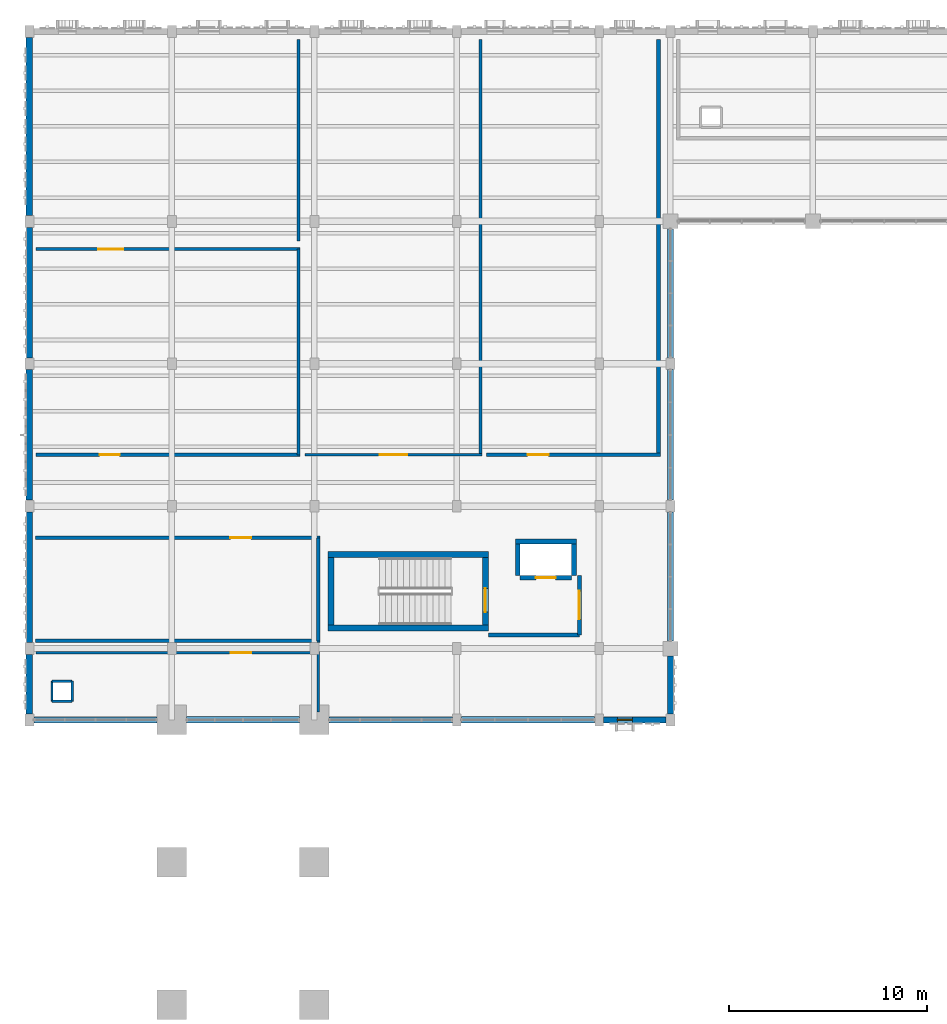
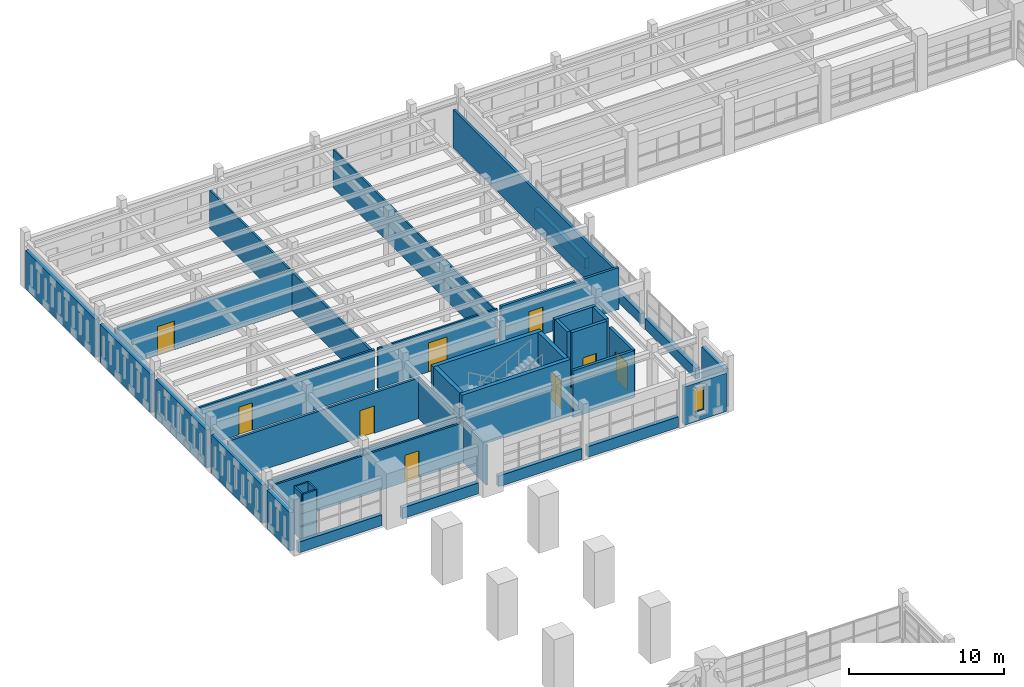
# One storey, part 44 of 69: 41 walls, 9 doors, 1 window, 10 openings.
"""IFC4 building model written with IfcOpenShell, lengths in metres."""

from ifc_helpers import new_model, si_unit, direction, frame, frame_2d, origin, place, context, subcontext, project, spatial, rectangle, extrude, material, layer, layer_set, type_object, element, fill, save


model = new_model("IFC4")

# Units and contexts
model_context = context("Model", 3, precision=1e-05, world=origin(), true_north=direction((0.0, 1.0)))
body_context = subcontext(model_context, "Body", "Model", "MODEL_VIEW")
ifc_project = project(units=[si_unit("LENGTHUNIT", "METRE"), si_unit("AREAUNIT", "SQUARE_METRE"), si_unit("VOLUMEUNIT", "CUBIC_METRE"), si_unit("PLANEANGLEUNIT", "RADIAN"), si_unit("MASSUNIT", "GRAM", prefix="KILO")], contexts=[model_context])

# Site, building, storey
site_placement = place(None, origin())
site = spatial("IfcSite", under=ifc_project, at=site_placement, CompositionType="ELEMENT")
building_placement = place(site_placement, origin())
building = spatial("IfcBuilding", under=site, at=building_placement, Name="Nzembalo Square Collegiate School", CompositionType="ELEMENT")
storey_placement = place(building_placement, frame((0.0, 0.0, 5.10009765625)))
storey = spatial("IfcBuildingStorey", under=building, at=storey_placement, Name="L01", CompositionType="ELEMENT", Elevation=5.10009765625)

# Walls
ifc_material_1 = material(Name="Concrete C40/50", Category="concrete")
ifc_layer_1 = layer(ifc_material_1, 0.300048828125, Name="Concrete C40/50")
ifc_layer_set_1 = layer_set([ifc_layer_1], Name="Concrete C40/50")
wall_type_1 = type_object("IfcWallType", Name="SW02", PredefinedType="SHEAR", material=ifc_layer_set_1)
wall_1_placement = place(storey_placement, frame((23.64990234375, 84.0, 0.0), z_axis=(0.0, 0.0, 1.0), x_axis=(0.0, 1.0, 0.0)))
element("IfcWall", 1, at=wall_1_placement, inside=storey, type_object=wall_type_1, Name="Core C2 stair shear wall W L01", PredefinedType="SHEAR", context=body_context, shape_type="SweptSolid", body=[
    extrude(rectangle(XDim=3.39990234375, YDim=0.300048828125, at=frame_2d((1.699951171875, 0.0))), origin(), (0.0, 0.0, 1.0), 4.419921875),
])
for number, where, z_axis, x_axis, name in (
    (2, (23.5, 83.85009765625, 0.0), (0.0, 0.0, 1.0), (1.0, 0.0, 0.0), "Core C2 stair shear wall S L01"),
    (3, (23.5, 87.550048828125, 0.0), (0.0, 0.0, 1.0), (1.0, 0.0, 0.0), "Core C2 stair shear wall N L01"),
):
    element("IfcWall", number, at=place(storey_placement, frame(where, z_axis=z_axis, x_axis=x_axis)), inside=storey, type_object=wall_type_1, Name=name, PredefinedType="SHEAR", context=body_context, shape_type="SweptSolid", body=[
        extrude(rectangle(XDim=8.10009765625, YDim=0.300048828125, at=frame_2d((4.050048828125, 0.0))), origin(), (0.0, 0.0, 1.0), 4.419921875),
    ])

# Wall, opening, door
wall_2_placement = place(storey_placement, frame((31.449951171875, 84.0, 0.0), z_axis=(0.0, 0.0, 1.0), x_axis=(0.0, 1.0, 0.0)))
wall_2 = element("IfcWall", 4, at=wall_2_placement, inside=storey, type_object=wall_type_1, Name="Core C2 stair shear wall E L01", PredefinedType="SHEAR", context=body_context, shape_type="SweptSolid", body=[
    extrude(rectangle(XDim=3.39990234375, YDim=0.300048828125, at=frame_2d((1.699951171875, 0.0))), origin(), (0.0, 0.0, 1.0), 4.419921875),
])
opening_1_placement = place(wall_2_placement, frame((0.64990234375, 0.0, 0.0)))
opening_1 = element("IfcOpeningElement", 5, at=opening_1_placement, cuts=wall_2, Name="Opening FD-015", PredefinedType="OPENING", context=body_context, shape_type="SweptSolid", body=[
    extrude(rectangle(XDim=1.199951171875, YDim=2.199951171875, at=frame_2d((0.60009765625, 1.10009765625))), frame((0.0, 0.16015625, 0.0), z_axis=(0.0, -1.0, 0.0), x_axis=(1.0, 0.0, 0.0)), (0.0, 0.0, 1.0), 0.320068359375),
])
ifc_material_2 = material(Name="Fire-rated steel acoustic door", Category="steel")
door_type_1 = type_object("IfcDoorType", Name="FD01", OperationType="NOTDEFINED", PredefinedType="DOOR", material=ifc_material_2)
door_1_placement = place(opening_1_placement, origin())
door_1 = element("IfcDoor", 6, at=door_1_placement, inside=storey, type_object=door_type_1, Name="Stair fire door FD-015", OperationType="SINGLE_SWING_LEFT", OverallHeight=2.199951171875, OverallWidth=1.199951171875, PredefinedType="DOOR", context=body_context, shape_type="SweptSolid", body=[
    extrude(rectangle(XDim=1.199951171875, YDim=2.199951171875, at=frame_2d((0.60009765625, 1.10009765625))), frame((0.0, 0.02490234375, 0.0), z_axis=(0.0, -1.0, 0.0), x_axis=(1.0, 0.0, 0.0)), (0.0, 0.0, 1.0), 0.050048828125),
])
fill(opening_1, door_1)

# Walls
ifc_material_3 = material(Name="Concrete C35/45", Category="concrete")
ifc_layer_2 = layer(ifc_material_3, 0.239990234375, Name="Concrete C35/45")
ifc_layer_set_2 = layer_set([ifc_layer_2], Name="Concrete C35/45")
wall_type_2 = type_object("IfcWallType", Name="SW06", PredefinedType="SHEAR", material=ifc_layer_set_2)
for number, where, z_axis, x_axis, name in (
    (7, (33.080078125, 86.5, 0.0), (0.0, 0.0, 1.0), (0.0, 1.0, 0.0), "Lift LF2 shaft wall W L01"),
    (8, (35.919921875, 86.5, 0.0), (0.0, 0.0, 1.0), (0.0, 1.0, 0.0), "Lift LF2 shaft wall E L01"),
):
    element("IfcWall", number, at=place(storey_placement, frame(where, z_axis=z_axis, x_axis=x_axis)), inside=storey, type_object=wall_type_2, Name=name, PredefinedType="SHEAR", context=body_context, shape_type="SweptSolid", body=[
        extrude(rectangle(XDim=1.60009765625, YDim=0.239990234375, at=frame_2d((0.800048828125, 0.0))), origin(), (0.0, 0.0, 1.0), 4.419921875),
    ])
wall_3_placement = place(storey_placement, frame((32.9599609375, 88.219970703125, 0.0), z_axis=(0.0, 0.0, 1.0), x_axis=(1.0, 0.0, 0.0)))
element("IfcWall", 9, at=wall_3_placement, inside=storey, type_object=wall_type_2, Name="Lift LF2 shaft wall N L01", PredefinedType="SHEAR", context=body_context, shape_type="SweptSolid", body=[
    extrude(rectangle(XDim=3.080078125, YDim=0.239990234375, at=frame_2d((1.5400390625, 0.0))), origin(), (0.0, 0.0, 1.0), 4.419921875),
])

# Wall, opening, door
wall_4_placement = place(storey_placement, frame((33.199951171875, 86.3798828125, 0.0), z_axis=(0.0, 0.0, 1.0), x_axis=(1.0, 0.0, 0.0)))
wall_4 = element("IfcWall", 10, at=wall_4_placement, inside=storey, type_object=wall_type_2, Name="Lift LF2 landing front wall L01", PredefinedType="SHEAR", context=body_context, shape_type="SweptSolid", body=[
    extrude(rectangle(XDim=2.60009765625, YDim=0.239990234375, at=frame_2d((1.300048828125, 0.0))), origin(), (0.0, 0.0, 1.0), 4.419921875),
])
opening_2_placement = place(wall_4_placement, frame((0.800048828125, 0.0, 0.0)))
opening_2 = element("IfcOpeningElement", 11, at=opening_2_placement, cuts=wall_4, Name="Opening LD-LF2-L01", PredefinedType="OPENING", context=body_context, shape_type="SweptSolid", body=[
    extrude(rectangle(XDim=1.0, YDim=2.14990234375, at=frame_2d((0.5, 1.074951171875))), frame((0.0, 0.1298828125, 0.0), z_axis=(0.0, -1.0, 0.0), x_axis=(1.0, 0.0, 0.0)), (0.0, 0.0, 1.0), 0.260009765625),
])
ifc_material_4 = material(Name="Stainless-steel sliding landing door", Category="steel")
door_type_2 = type_object("IfcDoorType", Name="LD02", OperationType="DOUBLE_DOOR_SLIDING", PredefinedType="DOOR", material=ifc_material_4)
door_2_placement = place(opening_2_placement, origin())
door_2 = element("IfcDoor", 12, at=door_2_placement, inside=storey, type_object=door_type_2, Name="Sliding lift landing door LD-LF2-L01", OperationType="DOUBLE_DOOR_SLIDING", OverallHeight=2.14990234375, OverallWidth=1.0, PredefinedType="DOOR", context=body_context, shape_type="SweptSolid", body=[
    extrude(rectangle(XDim=1.0, YDim=2.14990234375, at=frame_2d((0.5, 1.074951171875))), frame((0.0, 0.02490234375, 0.0), z_axis=(0.0, -1.0, 0.0), x_axis=(1.0, 0.0, 0.0)), (0.0, 0.0, 1.0), 0.050048828125),
])
fill(opening_2, door_2)

# Walls
ifc_material_5 = material(Name="Concrete C35/45", Category="concrete")
ifc_layer_3 = layer(ifc_material_5, 0.320068359375, Name="Concrete C35/45")
ifc_layer_set_3 = layer_set([ifc_layer_3], Name="Concrete C35/45")
wall_type_3 = type_object("IfcWallType", Name="W03", PredefinedType="SOLIDWALL", material=ifc_layer_set_3)
wall_5_placement = place(storey_placement, frame((16.35205078125, 79.199951171875, 0.0), z_axis=(0.0, 0.0, 1.0), x_axis=(1.0, 0.0, 0.0)))
element("IfcWall", 13, at=wall_5_placement, inside=storey, type_object=wall_type_3, Name="Spandrel wall W03 L01", PredefinedType="SOLIDWALL", context=body_context, shape_type="SweptSolid", body=[
    extrude(rectangle(XDim=5.696044921875, YDim=0.320068359375, at=frame_2d((2.84814453125, 0.0))), origin(), (0.0, 0.0, 1.0), 0.849853515625),
])
wall_6_placement = place(storey_placement, frame((30.22705078125, 79.199951171875, 0.0), z_axis=(0.0, 0.0, 1.0), x_axis=(1.0, 0.0, 0.0)))
element("IfcWall", 14, at=wall_6_placement, inside=storey, type_object=wall_type_3, Name="Spandrel wall W03 L01", PredefinedType="SOLIDWALL", context=body_context, shape_type="SweptSolid", body=[
    extrude(rectangle(XDim=6.745849609375, YDim=0.320068359375, at=frame_2d((3.373046875, 0.0))), origin(), (0.0, 0.0, 1.0), 0.849853515625),
])
wall_7_placement = place(storey_placement, frame((8.39990234375, 79.501953125, 0.0), z_axis=(0.0, 0.0, 1.0), x_axis=(0.0, 1.0, 0.0)))
element("IfcWall", 15, at=wall_7_placement, inside=storey, type_object=wall_type_3, Name="Exterior wall W03 L01", PredefinedType="SOLIDWALL", context=body_context, shape_type="SweptSolid", body=[
    extrude(rectangle(XDim=2.99609375, YDim=0.320068359375, at=frame_2d((1.498046875, 0.0))), origin(), (0.0, 0.0, 1.0), 3.02392578125),
])
wall_8_placement = place(storey_placement, frame((8.39990234375, 90.302001953125, 0.0), z_axis=(0.0, 0.0, 1.0), x_axis=(0.0, 1.0, 0.0)))
element("IfcWall", 16, at=wall_8_placement, inside=storey, type_object=wall_type_3, Name="Exterior wall W03 L01", PredefinedType="SOLIDWALL", context=body_context, shape_type="SweptSolid", body=[
    extrude(rectangle(XDim=6.595947265625, YDim=0.320068359375, at=frame_2d((3.2978515625, 0.0))), origin(), (0.0, 0.0, 1.0), 3.02392578125),
])
wall_9_placement = place(storey_placement, frame((8.39990234375, 104.701904296875, 0.0), z_axis=(0.0, 0.0, 1.0), x_axis=(0.0, 1.0, 0.0)))
element("IfcWall", 17, at=wall_9_placement, inside=storey, type_object=wall_type_3, Name="Exterior wall W03 L01", PredefinedType="SOLIDWALL", context=body_context, shape_type="SweptSolid", body=[
    extrude(rectangle(XDim=8.99609375, YDim=0.320068359375, at=frame_2d((4.498046875, 0.0))), origin(), (0.0, 0.0, 1.0), 3.02392578125),
])
wall_10_placement = place(storey_placement, frame((40.800048828125, 79.501953125, 0.0), z_axis=(0.0, 0.0, 1.0), x_axis=(0.0, 1.0, 0.0)))
element("IfcWall", 18, at=wall_10_placement, inside=storey, type_object=wall_type_3, Name="Exterior wall W03 L01", PredefinedType="SOLIDWALL", context=body_context, shape_type="SweptSolid", body=[
    extrude(rectangle(XDim=2.921142578125, YDim=0.320068359375, at=frame_2d((1.46044921875, 0.0))), origin(), (0.0, 0.0, 1.0), 3.02392578125),
])
for number, where, z_axis, x_axis, name in (
    (19, (40.800048828125, 83.177001953125, 0.0), (0.0, 0.0, 1.0), (0.0, 1.0, 0.0), "Spandrel wall W03 L01"),
    (20, (40.800048828125, 97.501953125, 0.0), (0.0, 0.0, 1.0), (0.0, 1.0, 0.0), "Spandrel wall W03 L01"),
):
    element("IfcWall", number, at=place(storey_placement, frame(where, z_axis=z_axis, x_axis=x_axis)), inside=storey, type_object=wall_type_3, Name=name, PredefinedType="SOLIDWALL", context=body_context, shape_type="SweptSolid", body=[
        extrude(rectangle(XDim=6.52099609375, YDim=0.320068359375, at=frame_2d((3.260498046875, 0.0))), origin(), (0.0, 0.0, 1.0), 0.849853515625),
    ])
ifc_material_6 = material(Name="Concrete C35/45", Category="concrete")
ifc_layer_4 = layer(ifc_material_6, 0.300048828125, Name="Concrete C35/45")
ifc_layer_set_4 = layer_set([ifc_layer_4], Name="Concrete C35/45")
wall_type_4 = type_object("IfcWallType", Name="W04", PredefinedType="SOLIDWALL", material=ifc_layer_set_4)
for number, where, z_axis, x_axis, name in (
    (21, (8.626953125, 79.199951171875, 0.0), (0.0, 0.0, 1.0), (1.0, 0.0, 0.0), "Spandrel wall W04 L01"),
    (22, (23.552001953125, 79.199951171875, 0.0), (0.0, 0.0, 1.0), (1.0, 0.0, 0.0), "Spandrel wall W04 L01"),
):
    element("IfcWall", number, at=place(storey_placement, frame(where, z_axis=z_axis, x_axis=x_axis)), inside=storey, type_object=wall_type_4, Name=name, PredefinedType="SOLIDWALL", context=body_context, shape_type="SweptSolid", body=[
        extrude(rectangle(XDim=6.220947265625, YDim=0.300048828125, at=frame_2d((3.1103515625, 0.0))), origin(), (0.0, 0.0, 1.0), 0.849853515625),
    ])

# Wall, opening, window
wall_11_placement = place(storey_placement, frame((37.427001953125, 79.199951171875, 0.0), z_axis=(0.0, 0.0, 1.0), x_axis=(1.0, 0.0, 0.0)))
wall_11 = element("IfcWall", 23, at=wall_11_placement, inside=storey, type_object=wall_type_4, Name="Exterior wall W04 L01", PredefinedType="SOLIDWALL", context=body_context, shape_type="SweptSolid", body=[
    extrude(rectangle(XDim=3.14599609375, YDim=0.300048828125, at=frame_2d((1.572998046875, 0.0))), origin(), (0.0, 0.0, 1.0), 3.02392578125),
])
opening_3_placement = place(wall_11_placement, frame((0.6953125, 0.0, 0.75)))
opening_3 = element("IfcOpeningElement", 24, at=opening_3_placement, cuts=wall_11, Name="Opening WN-L01-224", PredefinedType="OPENING", context=body_context, shape_type="SweptSolid", body=[
    extrude(rectangle(XDim=0.75, YDim=1.89990234375, at=frame_2d((0.375, 0.949951171875))), frame((0.0, 0.16015625, 0.0), z_axis=(0.0, -1.0, 0.0), x_axis=(1.0, 0.0, 0.0)), (0.0, 0.0, 1.0), 0.320068359375),
])
ifc_material_7 = material(Name="Powder-coated aluminium and low-E double glazing", Category="aluminium")
window_type = type_object("IfcWindowType", Name="WN03", PartitioningType="SINGLE_PANEL", PredefinedType="WINDOW", material=ifc_material_7)
window_placement = place(opening_3_placement, origin())
window = element("IfcWindow", 25, at=window_placement, inside=storey, type_object=window_type, Name="Lancet window WN-L01-224", OverallHeight=1.89990234375, OverallWidth=0.75, PartitioningType="SINGLE_PANEL", PredefinedType="WINDOW", context=body_context, shape_type="SweptSolid", body=[
    extrude(rectangle(XDim=0.75, YDim=1.89990234375, at=frame_2d((0.375, 0.949951171875))), frame((0.0, 0.030029296875, 0.0), z_axis=(0.0, -1.0, 0.0), x_axis=(1.0, 0.0, 0.0)), (0.0, 0.0, 1.0), 0.06005859375),
])
fill(opening_3, window)

# Walls
for number, where, z_axis, x_axis, name in (
    (26, (8.39990234375, 83.10205078125, 0.0), (0.0, 0.0, 1.0), (0.0, 1.0, 0.0), "Exterior wall W04 L01"),
    (27, (8.39990234375, 97.501953125, 0.0), (0.0, 0.0, 1.0), (0.0, 1.0, 0.0), "Exterior wall W04 L01"),
):
    element("IfcWall", number, at=place(storey_placement, frame(where, z_axis=z_axis, x_axis=x_axis)), inside=storey, type_object=wall_type_4, Name=name, PredefinedType="SOLIDWALL", context=body_context, shape_type="SweptSolid", body=[
        extrude(rectangle(XDim=6.595947265625, YDim=0.300048828125, at=frame_2d((3.2978515625, 0.0))), origin(), (0.0, 0.0, 1.0), 3.02392578125),
    ])
wall_12_placement = place(storey_placement, frame((40.800048828125, 90.302001953125, 0.0), z_axis=(0.0, 0.0, 1.0), x_axis=(0.0, 1.0, 0.0)))
element("IfcWall", 28, at=wall_12_placement, inside=storey, type_object=wall_type_4, Name="Spandrel wall W04 L01", PredefinedType="SOLIDWALL", context=body_context, shape_type="SweptSolid", body=[
    extrude(rectangle(XDim=6.595947265625, YDim=0.300048828125, at=frame_2d((3.2978515625, 0.0))), origin(), (0.0, 0.0, 1.0), 0.849853515625),
])

# Wall, opening, door
ifc_material_8 = material(Name="Concrete blockwork C25/30", Category="masonry")
ifc_layer_5 = layer(ifc_material_8, 0.199951171875, Name="Concrete blockwork C25/30")
ifc_layer_set_5 = layer_set([ifc_layer_5], Name="Concrete blockwork C25/30")
wall_type_5 = type_object("IfcWallType", Name="W11", PredefinedType="PARTITIONING", material=ifc_layer_set_5)
wall_13_placement = place(storey_placement, frame((36.199951171875, 83.5, 0.0), z_axis=(0.0, 0.0, 1.0), x_axis=(0.0, 1.0, 0.0)))
wall_13 = element("IfcWall", 29, at=wall_13_placement, inside=storey, type_object=wall_type_5, Name="Core C2 EI 60 lobby wall E L01", PredefinedType="PARTITIONING", context=body_context, shape_type="SweptSolid", body=[
    extrude(rectangle(XDim=3.0, YDim=0.199951171875, at=frame_2d((1.5, 0.0))), origin(), (0.0, 0.0, 1.0), 3.69384765625),
])
opening_4_placement = place(wall_13_placement, frame((0.77490234375, 0.0, 0.0)))
opening_4 = element("IfcOpeningElement", 30, at=opening_4_placement, cuts=wall_13, Name="Opening FD-016", PredefinedType="OPENING", context=body_context, shape_type="SweptSolid", body=[
    extrude(rectangle(XDim=1.449951171875, YDim=2.199951171875, at=frame_2d((0.72509765625, 1.10009765625))), frame((0.0, 0.10986328125, 0.0), z_axis=(0.0, -1.0, 0.0), x_axis=(1.0, 0.0, 0.0)), (0.0, 0.0, 1.0), 0.219970703125),
])
ifc_material_9 = material(Name="Fire-rated double lobby door")
door_type_3 = type_object("IfcDoorType", Name="FD02", OperationType="DOUBLE_DOOR_SINGLE_SWING", PredefinedType="DOOR", material=ifc_material_9)
door_3_placement = place(opening_4_placement, frame((1.449951171875, 0.0, 0.0), z_axis=(0.0, 0.0, 1.0), x_axis=(-1.0, 0.0, 0.0)))
door_3 = element("IfcDoor", 31, at=door_3_placement, inside=storey, type_object=door_type_3, Name="Protected lobby fire door FD-016", OperationType="DOUBLE_DOOR_SINGLE_SWING", OverallHeight=2.199951171875, OverallWidth=1.449951171875, PredefinedType="DOOR", context=body_context, shape_type="SweptSolid", body=[
    extrude(rectangle(XDim=1.449951171875, YDim=2.199951171875, at=frame_2d((0.72509765625, 1.10009765625))), frame((0.0, 0.02490234375, 0.0), z_axis=(0.0, -1.0, 0.0), x_axis=(1.0, 0.0, 0.0)), (0.0, 0.0, 1.0), 0.050048828125),
])
fill(opening_4, door_3)

# Wall
wall_14_placement = place(storey_placement, frame((31.60009765625, 83.5, 0.0), z_axis=(0.0, 0.0, 1.0), x_axis=(1.0, 0.0, 0.0)))
element("IfcWall", 32, at=wall_14_placement, inside=storey, type_object=wall_type_5, Name="Core C2 EI 60 lobby wall S L01", PredefinedType="PARTITIONING", context=body_context, shape_type="SweptSolid", body=[
    extrude(rectangle(XDim=4.599853515625, YDim=0.199951171875, at=frame_2d((2.2998046875, 0.0))), origin(), (0.0, 0.0, 1.0), 3.69384765625),
])

# Wall, opening, door
ifc_material_10 = material(Name="Acoustic double-board stud")
ifc_layer_6 = layer(ifc_material_10, 0.155029296875, Name="Acoustic double-board stud")
ifc_layer_set_6 = layer_set([ifc_layer_6], Name="Acoustic double-board stud")
wall_type_6 = type_object("IfcWallType", Name="W16", PredefinedType="PARTITIONING", material=ifc_layer_set_6)
wall_15_placement = place(storey_placement, frame((8.722412109375, 92.60009765625, 0.0), z_axis=(0.0, 0.0, 1.0), x_axis=(1.0, 0.0, 0.0)))
wall_15 = element("IfcWall", 33, at=wall_15_placement, inside=storey, type_object=wall_type_6, Name="Interior partition W16 L01-023-S", PredefinedType="PARTITIONING", context=body_context, shape_type="SweptSolid", body=[
    extrude(rectangle(XDim=13.35498046875, YDim=0.155029296875, at=frame_2d((6.677490234375, 0.0))), origin(), (0.0, 0.0, 1.0), 3.183837890625),
])
opening_5_placement = place(wall_15_placement, frame((3.222412109375, 0.0, 0.0)))
opening_5 = element("IfcOpeningElement", 34, at=opening_5_placement, cuts=wall_15, Name="Opening D-L01-038", PredefinedType="OPENING", context=body_context, shape_type="SweptSolid", body=[
    extrude(rectangle(XDim=1.02001953125, YDim=2.179931640625, at=frame_2d((0.510009765625, 1.08984375))), frame((0.0, 0.08740234375, 0.0), z_axis=(0.0, -1.0, 0.0), x_axis=(1.0, 0.0, 0.0)), (0.0, 0.0, 1.0), 0.175048828125),
])
ifc_material_11 = material(Name="Faculty workroom door")
door_type_4 = type_object("IfcDoorType", Name="D16", OperationType="NOTDEFINED", PredefinedType="DOOR", material=ifc_material_11)
door_4_placement = place(opening_5_placement, origin())
door_4 = element("IfcDoor", 35, at=door_4_placement, inside=storey, type_object=door_type_4, Name="Interior door D-L01-038 (Staff Dining Refectory Hall)", OperationType="SINGLE_SWING_LEFT", OverallHeight=2.179931640625, OverallWidth=1.02001953125, PredefinedType="DOOR", context=body_context, shape_type="SweptSolid", body=[
    extrude(rectangle(XDim=1.02001953125, YDim=2.179931640625, at=frame_2d((0.510009765625, 1.08984375))), frame((0.0, 0.02490234375, 0.0), z_axis=(0.0, -1.0, 0.0), x_axis=(1.0, 0.0, 0.0)), (0.0, 0.0, 1.0), 0.050048828125),
])
fill(opening_5, door_4)

wall_16_placement = place(storey_placement, frame((8.722412109375, 103.0, 0.0), z_axis=(0.0, 0.0, 1.0), x_axis=(1.0, 0.0, 0.0)))
wall_16 = element("IfcWall", 36, at=wall_16_placement, inside=storey, type_object=wall_type_6, Name="Interior partition W16 L01-023-N", PredefinedType="PARTITIONING", context=body_context, shape_type="SweptSolid", body=[
    extrude(rectangle(XDim=13.35498046875, YDim=0.155029296875, at=frame_2d((6.677490234375, 0.0))), origin(), (0.0, 0.0, 1.0), 3.183837890625),
])
opening_6_placement = place(wall_16_placement, frame((3.16259765625, 0.0, 0.0)))
opening_6 = element("IfcOpeningElement", 37, at=opening_6_placement, cuts=wall_16, Name="Opening D-L01-039", PredefinedType="OPENING", context=body_context, shape_type="SweptSolid", body=[
    extrude(rectangle(XDim=1.260009765625, YDim=2.260009765625, at=frame_2d((0.6298828125, 1.1298828125))), frame((0.0, 0.08740234375, 0.0), z_axis=(0.0, -1.0, 0.0), x_axis=(1.0, 0.0, 0.0)), (0.0, 0.0, 1.0), 0.175048828125),
])
ifc_material_12 = material(Name="High-STC acoustic music door")
door_type_5 = type_object("IfcDoorType", Name="D20", OperationType="NOTDEFINED", PredefinedType="DOOR", material=ifc_material_12)
door_5_placement = place(opening_6_placement, origin())
door_5 = element("IfcDoor", 38, at=door_5_placement, inside=storey, type_object=door_type_5, Name="Interior door D-L01-039 (Primary Year-Group Classroom 1A)", OperationType="SINGLE_SWING_RIGHT", OverallHeight=2.260009765625, OverallWidth=1.260009765625, PredefinedType="DOOR", context=body_context, shape_type="SweptSolid", body=[
    extrude(rectangle(XDim=1.260009765625, YDim=2.260009765625, at=frame_2d((0.6298828125, 1.1298828125))), frame((0.0, 0.02490234375, 0.0), z_axis=(0.0, -1.0, 0.0), x_axis=(1.0, 0.0, 0.0)), (0.0, 0.0, 1.0), 0.050048828125),
])
fill(opening_6, door_5)

# Wall
wall_17_placement = place(storey_placement, frame((22.0, 92.60009765625, 0.0), z_axis=(0.0, 0.0, 1.0), x_axis=(0.0, 1.0, 0.0)))
element("IfcWall", 39, at=wall_17_placement, inside=storey, type_object=wall_type_6, Name="Interior partition W16 L01-023-E", PredefinedType="PARTITIONING", context=body_context, shape_type="SweptSolid", body=[
    extrude(rectangle(XDim=10.39990234375, YDim=0.155029296875, at=frame_2d((5.199951171875, 0.0))), origin(), (0.0, 0.0, 1.0), 3.02392578125),
])

# Wall, opening, door
ifc_material_13 = material(Name="Cement-board wet-room partition")
ifc_layer_7 = layer(ifc_material_13, 0.135009765625, Name="Cement-board wet-room partition")
ifc_layer_set_7 = layer_set([ifc_layer_7], Name="Cement-board wet-room partition")
wall_type_7 = type_object("IfcWallType", Name="W19", PredefinedType="PARTITIONING", material=ifc_layer_set_7)
wall_18_placement = place(storey_placement, frame((8.732421875, 82.60009765625, 0.0), z_axis=(0.0, 0.0, 1.0), x_axis=(1.0, 0.0, 0.0)))
wall_18 = element("IfcWall", 40, at=wall_18_placement, inside=storey, type_object=wall_type_7, Name="Interior partition W19 L01-021-N", PredefinedType="PARTITIONING", context=body_context, shape_type="SweptSolid", body=[
    extrude(rectangle(XDim=14.3349609375, YDim=0.135009765625, at=frame_2d((7.16748046875, 0.0))), origin(), (0.0, 0.0, 1.0), 3.183837890625),
])
opening_7_placement = place(wall_18_placement, frame((9.83740234375, 0.0, 0.0)))
opening_7 = element("IfcOpeningElement", 41, at=opening_7_placement, cuts=wall_18, Name="Opening D-L01-036", PredefinedType="OPENING", context=body_context, shape_type="SweptSolid", body=[
    extrude(rectangle(XDim=1.0400390625, YDim=2.1201171875, at=frame_2d((0.52001953125, 1.06005859375))), frame((0.0, 0.07763671875, 0.0), z_axis=(0.0, -1.0, 0.0), x_axis=(1.0, 0.0, 0.0)), (0.0, 0.0, 1.0), 0.155029296875),
])
ifc_material_14 = material(Name="Accessible outward-swing WC door")
door_type_6 = type_object("IfcDoorType", Name="D09", OperationType="NOTDEFINED", PredefinedType="DOOR", material=ifc_material_14)
door_6_placement = place(opening_7_placement, origin())
door_6 = element("IfcDoor", 42, at=door_6_placement, inside=storey, type_object=door_type_6, Name="Interior door D-L01-036 (West L01 Boys', Girls' and Accessible WCs)", OperationType="SINGLE_SWING_LEFT", OverallHeight=2.1201171875, OverallWidth=1.0400390625, PredefinedType="DOOR", context=body_context, shape_type="SweptSolid", body=[
    extrude(rectangle(XDim=1.0400390625, YDim=2.1201171875, at=frame_2d((0.52001953125, 1.06005859375))), frame((0.0, 0.02490234375, 0.0), z_axis=(0.0, -1.0, 0.0), x_axis=(1.0, 0.0, 0.0)), (0.0, 0.0, 1.0), 0.050048828125),
])
fill(opening_7, door_6)

# Walls
wall_19_placement = place(storey_placement, frame((23.0, 79.60009765625, 0.0), z_axis=(0.0, 0.0, 1.0), x_axis=(0.0, 1.0, 0.0)))
element("IfcWall", 43, at=wall_19_placement, inside=storey, type_object=wall_type_7, Name="Interior partition W19 L01-021-E", PredefinedType="PARTITIONING", context=body_context, shape_type="SweptSolid", body=[
    extrude(rectangle(XDim=3.0, YDim=0.135009765625, at=frame_2d((1.5, 0.0))), origin(), (0.0, 0.0, 1.0), 3.183837890625),
])
wall_20_placement = place(storey_placement, frame((22.0, 103.39990234375, 0.0), z_axis=(0.0, 0.0, 1.0), x_axis=(0.0, 1.0, 0.0)))
element("IfcWall", 44, at=wall_20_placement, inside=storey, type_object=wall_type_7, Name="Interior partition W19 L01-024-E", PredefinedType="PARTITIONING", context=body_context, shape_type="SweptSolid", body=[
    extrude(rectangle(XDim=10.2001953125, YDim=0.135009765625, at=frame_2d((5.10009765625, 0.0))), origin(), (0.0, 0.0, 1.0), 3.02392578125),
])

# Wall, opening, door
ifc_material_15 = material(Name="Gypsum plasterboard stud")
ifc_layer_8 = layer(ifc_material_15, 0.1298828125, Name="Gypsum plasterboard stud")
ifc_layer_set_8 = layer_set([ifc_layer_8], Name="Gypsum plasterboard stud")
wall_type_8 = type_object("IfcWallType", Name="W20", PredefinedType="PARTITIONING", material=ifc_layer_set_8)
wall_21_placement = place(storey_placement, frame((22.3349609375, 92.60009765625, 0.0), z_axis=(0.0, 0.0, 1.0), x_axis=(1.0, 0.0, 0.0)))
wall_21 = element("IfcWall", 45, at=wall_21_placement, inside=storey, type_object=wall_type_8, Name="Interior partition W20 L01-025-S", PredefinedType="PARTITIONING", context=body_context, shape_type="SweptSolid", body=[
    extrude(rectangle(XDim=8.929931640625, YDim=0.1298828125, at=frame_2d((4.46484375, 0.0))), origin(), (0.0, 0.0, 1.0), 3.183837890625),
])
opening_8_placement = place(wall_21_placement, frame((3.77490234375, 0.0, 0.0)))
opening_8 = element("IfcOpeningElement", 46, at=opening_8_placement, cuts=wall_21, Name="Opening D-L01-040", PredefinedType="OPENING", context=body_context, shape_type="SweptSolid", body=[
    extrude(rectangle(XDim=1.3798828125, YDim=2.280029296875, at=frame_2d((0.68994140625, 1.14013671875))), frame((0.0, 0.074951171875, 0.0), z_axis=(0.0, -1.0, 0.0), x_axis=(1.0, 0.0, 0.0)), (0.0, 0.0, 1.0), 0.14990234375),
])
ifc_material_16 = material(Name="Wide art studio double door")
door_type_7 = type_object("IfcDoorType", Name="D21", OperationType="DOUBLE_DOOR_SINGLE_SWING", PredefinedType="DOOR", material=ifc_material_16)
door_7_placement = place(opening_8_placement, origin())
door_7 = element("IfcDoor", 47, at=door_7_placement, inside=storey, type_object=door_type_7, Name="Interior door D-L01-040 (Primary Year-Group Classroom 1B)", OperationType="DOUBLE_DOOR_SINGLE_SWING", OverallHeight=2.280029296875, OverallWidth=1.3798828125, PredefinedType="DOOR", context=body_context, shape_type="SweptSolid", body=[
    extrude(rectangle(XDim=1.3798828125, YDim=2.280029296875, at=frame_2d((0.68994140625, 1.14013671875))), frame((0.0, 0.02490234375, 0.0), z_axis=(0.0, -1.0, 0.0), x_axis=(1.0, 0.0, 0.0)), (0.0, 0.0, 1.0), 0.050048828125),
])
fill(opening_8, door_7)

# Walls
wall_22_placement = place(storey_placement, frame((31.199951171875, 92.60009765625, 0.0), z_axis=(0.0, 0.0, 1.0), x_axis=(0.0, 1.0, 0.0)))
element("IfcWall", 48, at=wall_22_placement, inside=storey, type_object=wall_type_8, Name="Interior partition W20 L01-025-E", PredefinedType="PARTITIONING", context=body_context, shape_type="SweptSolid", body=[
    extrude(rectangle(XDim=21.0, YDim=0.1298828125, at=frame_2d((10.5, 0.0))), origin(), (0.0, 0.0, 1.0), 3.02392578125),
])
ifc_material_17 = material(Name="High-mass acoustic blockwork", Category="masonry")
ifc_layer_9 = layer(ifc_material_17, 0.18505859375, Name="High-mass acoustic blockwork")
ifc_layer_set_9 = layer_set([ifc_layer_9], Name="High-mass acoustic blockwork")
wall_type_9 = type_object("IfcWallType", Name="W22", PredefinedType="PARTITIONING", material=ifc_layer_set_9)
wall_23_placement = place(storey_placement, frame((8.70751953125, 83.199951171875, 0.0), z_axis=(0.0, 0.0, 1.0), x_axis=(1.0, 0.0, 0.0)))
element("IfcWall", 49, at=wall_23_placement, inside=storey, type_object=wall_type_9, Name="Interior partition W22 L01-022-S", PredefinedType="PARTITIONING", context=body_context, shape_type="SweptSolid", body=[
    extrude(rectangle(XDim=14.385009765625, YDim=0.18505859375, at=frame_2d((7.1923828125, 0.0))), origin(), (0.0, 0.0, 1.0), 3.183837890625),
])

# Wall, opening, door
wall_24_placement = place(storey_placement, frame((8.70751953125, 88.39990234375, 0.0), z_axis=(0.0, 0.0, 1.0), x_axis=(1.0, 0.0, 0.0)))
wall_24 = element("IfcWall", 50, at=wall_24_placement, inside=storey, type_object=wall_type_9, Name="Interior partition W22 L01-022-N", PredefinedType="PARTITIONING", context=body_context, shape_type="SweptSolid", body=[
    extrude(rectangle(XDim=14.385009765625, YDim=0.18505859375, at=frame_2d((7.1923828125, 0.0))), origin(), (0.0, 0.0, 1.0), 3.183837890625),
])
opening_9_placement = place(wall_24_placement, frame((9.85498046875, 0.0, 0.0)))
opening_9 = element("IfcOpeningElement", 51, at=opening_9_placement, cuts=wall_24, Name="Opening D-L01-037", PredefinedType="OPENING", context=body_context, shape_type="SweptSolid", body=[
    extrude(rectangle(XDim=1.050048828125, YDim=2.14990234375, at=frame_2d((0.52490234375, 1.074951171875))), frame((0.0, 0.1025390625, 0.0), z_axis=(0.0, -1.0, 0.0), x_axis=(1.0, 0.0, 0.0)), (0.0, 0.0, 1.0), 0.205078125),
])
ifc_material_18 = material(Name="Fire-rated steel store door", Category="steel")
door_type_8 = type_object("IfcDoorType", Name="FD03", OperationType="NOTDEFINED", PredefinedType="DOOR", material=ifc_material_18)
door_8_placement = place(opening_9_placement, origin())
door_8 = element("IfcDoor", 52, at=door_8_placement, inside=storey, type_object=door_type_8, Name="Interior door D-L01-037 (Sixth-Form Study Cafe Lounge)", OperationType="SINGLE_SWING_RIGHT", OverallHeight=2.14990234375, OverallWidth=1.050048828125, PredefinedType="DOOR", context=body_context, shape_type="SweptSolid", body=[
    extrude(rectangle(XDim=1.050048828125, YDim=2.14990234375, at=frame_2d((0.52490234375, 1.074951171875))), frame((0.0, 0.02490234375, 0.0), z_axis=(0.0, -1.0, 0.0), x_axis=(1.0, 0.0, 0.0)), (0.0, 0.0, 1.0), 0.050048828125),
])
fill(opening_9, door_8)

# Wall
wall_25_placement = place(storey_placement, frame((23.0, 83.199951171875, 0.0), z_axis=(0.0, 0.0, 1.0), x_axis=(0.0, 1.0, 0.0)))
element("IfcWall", 53, at=wall_25_placement, inside=storey, type_object=wall_type_9, Name="Interior partition W22 L01-022-E", PredefinedType="PARTITIONING", context=body_context, shape_type="SweptSolid", body=[
    extrude(rectangle(XDim=5.199951171875, YDim=0.18505859375, at=frame_2d((2.60009765625, 0.0))), origin(), (0.0, 0.0, 1.0), 3.183837890625),
])

# Wall, opening, door
wall_26_placement = place(storey_placement, frame((31.507568359375, 92.60009765625, 0.0), z_axis=(0.0, 0.0, 1.0), x_axis=(1.0, 0.0, 0.0)))
wall_26 = element("IfcWall", 54, at=wall_26_placement, inside=storey, type_object=wall_type_9, Name="Interior partition W22 L01-026-S", PredefinedType="PARTITIONING", context=body_context, shape_type="SweptSolid", body=[
    extrude(rectangle(XDim=8.784912109375, YDim=0.18505859375, at=frame_2d((4.392578125, 0.0))), origin(), (0.0, 0.0, 1.0), 3.2939453125),
])
opening_10_placement = place(wall_26_placement, frame((2.080078125, 0.0, 0.0)))
opening_10 = element("IfcOpeningElement", 55, at=opening_10_placement, cuts=wall_26, Name="Opening D-L01-041", PredefinedType="OPENING", context=body_context, shape_type="SweptSolid", body=[
    extrude(rectangle(XDim=1.050048828125, YDim=2.14990234375, at=frame_2d((0.52490234375, 1.074951171875))), frame((0.0, 0.1025390625, 0.0), z_axis=(0.0, -1.0, 0.0), x_axis=(1.0, 0.0, 0.0)), (0.0, 0.0, 1.0), 0.205078125),
])
door_9_placement = place(opening_10_placement, origin())
door_9 = element("IfcDoor", 56, at=door_9_placement, inside=storey, type_object=door_type_8, Name="Interior door D-L01-041 (Culinary Teaching Studio)", OperationType="SINGLE_SWING_LEFT", OverallHeight=2.14990234375, OverallWidth=1.050048828125, PredefinedType="DOOR", context=body_context, shape_type="SweptSolid", body=[
    extrude(rectangle(XDim=1.050048828125, YDim=2.14990234375, at=frame_2d((0.52490234375, 1.074951171875))), frame((0.0, 0.02490234375, 0.0), z_axis=(0.0, -1.0, 0.0), x_axis=(1.0, 0.0, 0.0)), (0.0, 0.0, 1.0), 0.050048828125),
])
fill(opening_10, door_9)

# Walls
wall_27_placement = place(storey_placement, frame((40.199951171875, 92.60009765625, 0.0), z_axis=(0.0, 0.0, 1.0), x_axis=(0.0, 1.0, 0.0)))
element("IfcWall", 57, at=wall_27_placement, inside=storey, type_object=wall_type_9, Name="Interior partition W22 L01-026-E", PredefinedType="PARTITIONING", context=body_context, shape_type="SweptSolid", body=[
    extrude(rectangle(XDim=21.0, YDim=0.18505859375, at=frame_2d((10.5, 0.0))), origin(), (0.0, 0.0, 1.0), 3.02392578125),
])
ifc_material_19 = material(Name="Fire-rated shaftwall stud")
ifc_layer_10 = layer(ifc_material_19, 0.1201171875, Name="Fire-rated shaftwall stud")
ifc_layer_set_10 = layer_set([ifc_layer_10], Name="Fire-rated shaftwall stud")
wall_type_10 = type_object("IfcWallType", Name="W23", PredefinedType="PARTITIONING", material=ifc_layer_set_10)
for number, where, z_axis, x_axis, name in (
    (58, (9.5400390625, 80.139892578125, 0.0), (0.0, 0.0, 1.0), (1.0, 0.0, 0.0), "Service riser shaftwall W23-010-1"),
    (59, (10.56005859375, 80.139892578125, 0.0), (0.0, 0.0, 1.0), (0.0, 1.0, 0.0), "Service riser shaftwall W23-010-2"),
    (60, (10.56005859375, 81.159912109375, 0.0), (0.0, 0.0, 1.0), (-1.0, 0.0, 0.0), "Service riser shaftwall W23-010-3"),
    (61, (9.5400390625, 81.159912109375, 0.0), (0.0, 0.0, 1.0), (0.0, -1.0, 0.0), "Service riser shaftwall W23-010-4"),
):
    element("IfcWall", number, at=place(storey_placement, frame(where, z_axis=z_axis, x_axis=x_axis)), inside=storey, type_object=wall_type_10, Name=name, PredefinedType="PARTITIONING", context=body_context, shape_type="SweptSolid", body=[
        extrude(rectangle(XDim=1.02001953125, YDim=0.1201171875, at=frame_2d((0.510009765625, 0.0))), origin(), (0.0, 0.0, 1.0), 3.69384765625),
    ])

save(model, "model.ifc")
